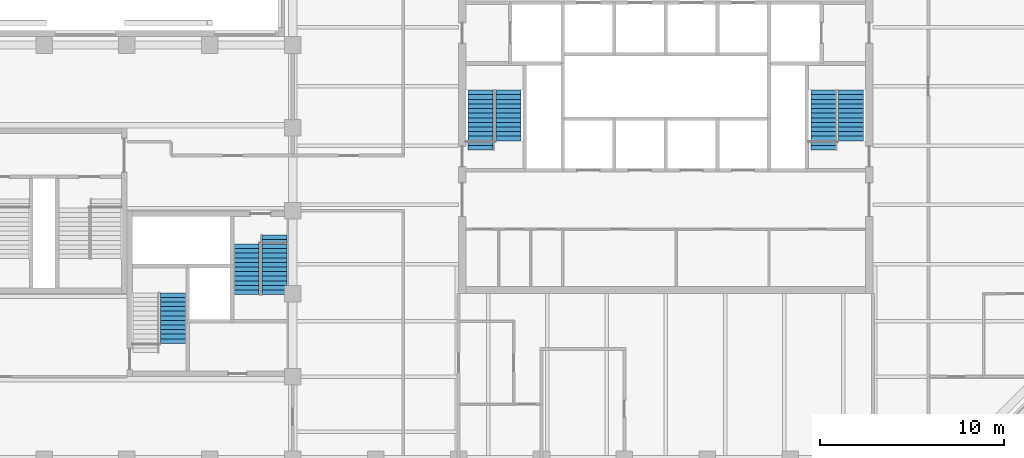
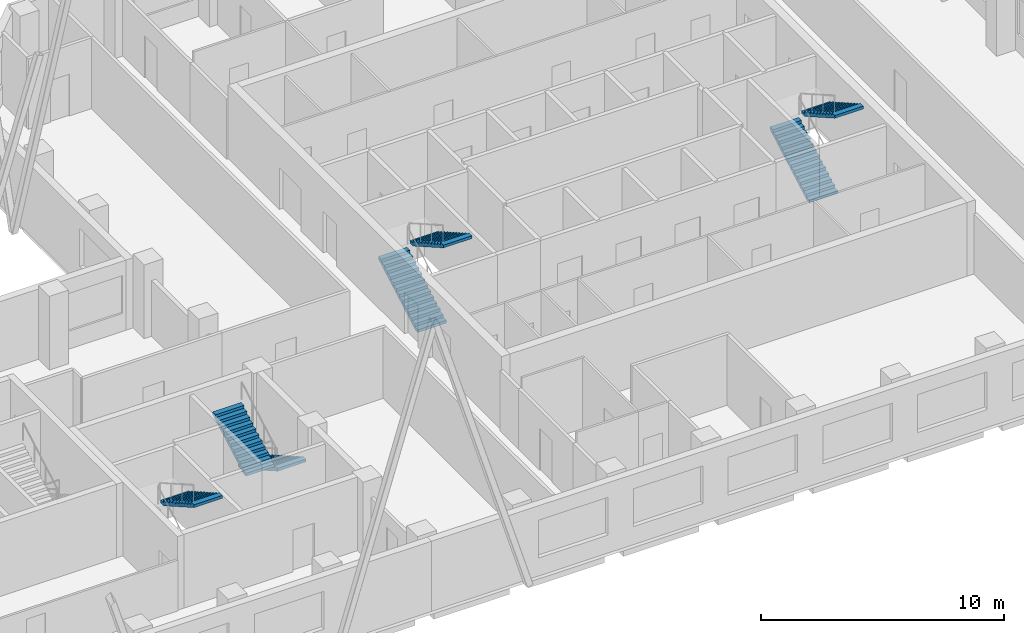
# One storey, part 8 of 9: 7 stair flights, 4 elements without a shape of their own.
"""IFC4 building model written with IfcOpenShell, lengths in metres."""

from ifc_helpers import new_model, si_unit, direction, frame, origin, place, context, subcontext, project, spatial, polyline, outline, extrude, material, type_object, element, aggregate, save


model = new_model("IFC4")

# Units and contexts
model_context = context("Model", 3, precision=1e-05, world=origin(), true_north=direction((0.0, 1.0)))
body_context = subcontext(model_context, "Body", "Model", "MODEL_VIEW")
ifc_project = project(units=[si_unit("LENGTHUNIT", "METRE"), si_unit("AREAUNIT", "SQUARE_METRE"), si_unit("VOLUMEUNIT", "CUBIC_METRE"), si_unit("PLANEANGLEUNIT", "RADIAN"), si_unit("MASSUNIT", "GRAM", prefix="KILO")], contexts=[model_context])

# Site, building, storey
site_placement = place(None, origin())
site = spatial("IfcSite", under=ifc_project, at=site_placement, CompositionType="ELEMENT")
building_placement = place(site_placement, origin())
building = spatial("IfcBuilding", under=site, at=building_placement, Name="Quoin Convention Tower", CompositionType="ELEMENT")
storey_placement = place(building_placement, frame((0.0, 0.0, 173.60009765625)))
storey = spatial("IfcBuildingStorey", under=building, at=storey_placement, Name="L45", CompositionType="ELEMENT", Elevation=173.60009765625)

# Stair, stair flights
ifc_material = material(Name="Concrete C40", Category="concrete")
stair_type = type_object("IfcStairType", Name="Exit stair two-flight 1350", PredefinedType="HALF_TURN_STAIR", material=ifc_material)
stair_1_placement = place(storey_placement, origin())
stair_1 = element("IfcStair", 1, at=stair_1_placement, inside=storey, type_object=stair_type, Name="SD1 L45", PredefinedType="HALF_TURN_STAIR")
stair_flight_type = type_object("IfcStairFlightType", Name="Stair flight 1350", PredefinedType="STRAIGHT", material=ifc_material)
stair_flight_1_placement = place(storey_placement, frame((46.199951171875, 57.300048828125, 0.0), z_axis=(0.0, 0.0, 1.0), x_axis=(0.0, 1.0, 0.0)))
stair_flight_1 = element("IfcStairFlight", 2, at=stair_flight_1_placement, type_object=stair_flight_type, Name="ST1 flight 1", NumberOfRisers=14, NumberOfTreads=13, PredefinedType="STRAIGHT", RiserHeight=0.142307692, TreadLength=0.25, context=body_context, shape_type="SweptSolid", body=[
    extrude(outline(polyline([(0.0, 0.0), (0.0, 0.142333984375), (0.25, 0.142333984375), (0.25, 0.28466796875), (0.5, 0.28466796875), (0.5, 0.427001953125), (0.75, 0.427001953125), (0.75, 0.5693359375), (1.0, 0.5693359375), (1.0, 0.71142578125), (1.25, 0.71142578125), (1.25, 0.853759765625), (1.5, 0.853759765625), (1.5, 0.99609375), (1.75, 0.99609375), (1.75, 1.138427734375), (2.0, 1.138427734375), (2.0, 1.28076171875), (2.25, 1.28076171875), (2.25, 1.423095703125), (2.5, 1.423095703125), (2.5, 1.5654296875), (2.75, 1.5654296875), (2.75, 1.707763671875), (3.0, 1.707763671875), (3.0, 1.85009765625), (3.25, 1.85009765625), (3.25, 1.9921875), (3.25, 1.711669921875), (0.242919921875, 0.0), (0.0, 0.0)])), frame((0.0, 0.675048828125, 0.0), z_axis=(0.0, -1.0, 0.0), x_axis=(1.0, 0.0, 0.0)), (0.0, 0.0, 1.0), 1.35009765625),
])
stair_flight_2_placement = place(storey_placement, frame((47.699951171875, 60.550048828125, 1.9921875), z_axis=(0.0, 0.0, 1.0), x_axis=(0.0, -1.0, 0.0)))
stair_flight_2 = element("IfcStairFlight", 3, at=stair_flight_2_placement, type_object=stair_flight_type, Name="ST1 flight 2", NumberOfRisers=12, NumberOfTreads=11, PredefinedType="STRAIGHT", RiserHeight=0.142307692, TreadLength=0.25, context=body_context, shape_type="SweptSolid", body=[
    extrude(outline(polyline([(0.0, 0.0), (0.0, 0.142333984375), (0.25, 0.142333984375), (0.25, 0.28466796875), (0.5, 0.28466796875), (0.5, 0.427001953125), (0.75, 0.427001953125), (0.75, 0.5693359375), (1.0, 0.5693359375), (1.0, 0.71142578125), (1.25, 0.71142578125), (1.25, 0.853759765625), (1.5, 0.853759765625), (1.5, 0.99609375), (1.75, 0.99609375), (1.75, 1.138427734375), (2.0, 1.138427734375), (2.0, 1.28076171875), (2.25, 1.28076171875), (2.25, 1.423095703125), (2.5, 1.423095703125), (2.5, 1.5654296875), (2.75, 1.5654296875), (2.75, 1.707763671875), (2.75, 1.42724609375), (0.242919921875, 0.0), (0.0, 0.0)])), frame((0.0, 0.675048828125, 0.0), z_axis=(0.0, -1.0, 0.0), x_axis=(1.0, 0.0, 0.0)), (0.0, 0.0, 1.0), 1.35009765625),
])
aggregate(stair_1, [stair_flight_1, stair_flight_2])

stair_2_placement = place(storey_placement, origin())
stair_2 = element("IfcStair", 4, at=stair_2_placement, inside=storey, type_object=stair_type, Name="SD2 L45", PredefinedType="HALF_TURN_STAIR")
stair_flight_3_placement = place(storey_placement, frame((64.800048828125, 57.300048828125, 0.0), z_axis=(0.0, 0.0, 1.0), x_axis=(0.0, 1.0, 0.0)))
stair_flight_3 = element("IfcStairFlight", 5, at=stair_flight_3_placement, type_object=stair_flight_type, Name="ST2 flight 1", NumberOfRisers=14, NumberOfTreads=13, PredefinedType="STRAIGHT", RiserHeight=0.142307692, TreadLength=0.25, context=body_context, shape_type="SweptSolid", body=[
    extrude(outline(polyline([(0.0, 0.0), (0.0, 0.142333984375), (0.25, 0.142333984375), (0.25, 0.28466796875), (0.5, 0.28466796875), (0.5, 0.427001953125), (0.75, 0.427001953125), (0.75, 0.5693359375), (1.0, 0.5693359375), (1.0, 0.71142578125), (1.25, 0.71142578125), (1.25, 0.853759765625), (1.5, 0.853759765625), (1.5, 0.99609375), (1.75, 0.99609375), (1.75, 1.138427734375), (2.0, 1.138427734375), (2.0, 1.28076171875), (2.25, 1.28076171875), (2.25, 1.423095703125), (2.5, 1.423095703125), (2.5, 1.5654296875), (2.75, 1.5654296875), (2.75, 1.707763671875), (3.0, 1.707763671875), (3.0, 1.85009765625), (3.25, 1.85009765625), (3.25, 1.9921875), (3.25, 1.711669921875), (0.242919921875, 0.0), (0.0, 0.0)])), frame((0.0, 0.675048828125, 0.0), z_axis=(0.0, -1.0, 0.0), x_axis=(1.0, 0.0, 0.0)), (0.0, 0.0, 1.0), 1.35009765625),
])
stair_flight_4_placement = place(storey_placement, frame((66.300048828125, 60.550048828125, 1.9921875), z_axis=(0.0, 0.0, 1.0), x_axis=(0.0, -1.0, 0.0)))
stair_flight_4 = element("IfcStairFlight", 6, at=stair_flight_4_placement, type_object=stair_flight_type, Name="ST2 flight 2", NumberOfRisers=12, NumberOfTreads=11, PredefinedType="STRAIGHT", RiserHeight=0.142307692, TreadLength=0.25, context=body_context, shape_type="SweptSolid", body=[
    extrude(outline(polyline([(0.0, 0.0), (0.0, 0.142333984375), (0.25, 0.142333984375), (0.25, 0.28466796875), (0.5, 0.28466796875), (0.5, 0.427001953125), (0.75, 0.427001953125), (0.75, 0.5693359375), (1.0, 0.5693359375), (1.0, 0.71142578125), (1.25, 0.71142578125), (1.25, 0.853759765625), (1.5, 0.853759765625), (1.5, 0.99609375), (1.75, 0.99609375), (1.75, 1.138427734375), (2.0, 1.138427734375), (2.0, 1.28076171875), (2.25, 1.28076171875), (2.25, 1.423095703125), (2.5, 1.423095703125), (2.5, 1.5654296875), (2.75, 1.5654296875), (2.75, 1.707763671875), (2.75, 1.42724609375), (0.242919921875, 0.0), (0.0, 0.0)])), frame((0.0, 0.675048828125, 0.0), z_axis=(0.0, -1.0, 0.0), x_axis=(1.0, 0.0, 0.0)), (0.0, 0.0, 1.0), 1.35009765625),
])
aggregate(stair_2, [stair_flight_3, stair_flight_4])

# Stair, stair flight
stair_3_placement = place(storey_placement, origin())
stair_3 = element("IfcStair", 7, at=stair_3_placement, inside=storey, type_object=stair_type, Name="SD3 L45", PredefinedType="HALF_TURN_STAIR")
stair_flight_5_placement = place(storey_placement, frame((29.5, 49.550048828125, 1.9921875), z_axis=(0.0, 0.0, 1.0), x_axis=(0.0, -1.0, 0.0)))
stair_flight_5 = element("IfcStairFlight", 8, at=stair_flight_5_placement, type_object=stair_flight_type, Name="ST3 flight 2", NumberOfRisers=12, NumberOfTreads=11, PredefinedType="STRAIGHT", RiserHeight=0.142307692, TreadLength=0.25, context=body_context, shape_type="SweptSolid", body=[
    extrude(outline(polyline([(0.0, 0.0), (0.0, 0.142333984375), (0.25, 0.142333984375), (0.25, 0.28466796875), (0.5, 0.28466796875), (0.5, 0.427001953125), (0.75, 0.427001953125), (0.75, 0.5693359375), (1.0, 0.5693359375), (1.0, 0.71142578125), (1.25, 0.71142578125), (1.25, 0.853759765625), (1.5, 0.853759765625), (1.5, 0.99609375), (1.75, 0.99609375), (1.75, 1.138427734375), (2.0, 1.138427734375), (2.0, 1.28076171875), (2.25, 1.28076171875), (2.25, 1.423095703125), (2.5, 1.423095703125), (2.5, 1.5654296875), (2.75, 1.5654296875), (2.75, 1.707763671875), (2.75, 1.42724609375), (0.242919921875, 0.0), (0.0, 0.0)])), frame((0.0, 0.675048828125, 0.0), z_axis=(0.0, -1.0, 0.0), x_axis=(1.0, 0.0, 0.0)), (0.0, 0.0, 1.0), 1.35009765625),
])
aggregate(stair_3, [stair_flight_5])

# Stair, stair flights
stair_4_placement = place(storey_placement, origin())
stair_4 = element("IfcStair", 9, at=stair_4_placement, inside=storey, type_object=stair_type, Name="SD4 L45", PredefinedType="HALF_TURN_STAIR")
stair_flight_6_placement = place(storey_placement, frame((35.0, 52.699951171875, 0.0), z_axis=(0.0, 0.0, 1.0), x_axis=(0.0, -1.0, 0.0)))
stair_flight_6 = element("IfcStairFlight", 10, at=stair_flight_6_placement, type_object=stair_flight_type, Name="ST4 flight 1", NumberOfRisers=14, NumberOfTreads=13, PredefinedType="STRAIGHT", RiserHeight=0.142307692, TreadLength=0.25, context=body_context, shape_type="SweptSolid", body=[
    extrude(outline(polyline([(0.0, 0.0), (0.0, 0.142333984375), (0.25, 0.142333984375), (0.25, 0.28466796875), (0.5, 0.28466796875), (0.5, 0.427001953125), (0.75, 0.427001953125), (0.75, 0.5693359375), (1.0, 0.5693359375), (1.0, 0.71142578125), (1.25, 0.71142578125), (1.25, 0.853759765625), (1.5, 0.853759765625), (1.5, 0.99609375), (1.75, 0.99609375), (1.75, 1.138427734375), (2.0, 1.138427734375), (2.0, 1.28076171875), (2.25, 1.28076171875), (2.25, 1.423095703125), (2.5, 1.423095703125), (2.5, 1.5654296875), (2.75, 1.5654296875), (2.75, 1.707763671875), (3.0, 1.707763671875), (3.0, 1.85009765625), (3.25, 1.85009765625), (3.25, 1.9921875), (3.25, 1.711669921875), (0.242919921875, 0.0), (0.0, 0.0)])), frame((0.0, 0.675048828125, 0.0), z_axis=(0.0, -1.0, 0.0), x_axis=(1.0, 0.0, 0.0)), (0.0, 0.0, 1.0), 1.35009765625),
])
stair_flight_7_placement = place(storey_placement, frame((33.5, 49.449951171875, 1.9921875), z_axis=(0.0, 0.0, 1.0), x_axis=(0.0, 1.0, 0.0)))
stair_flight_7 = element("IfcStairFlight", 11, at=stair_flight_7_placement, type_object=stair_flight_type, Name="ST4 flight 2", NumberOfRisers=12, NumberOfTreads=11, PredefinedType="STRAIGHT", RiserHeight=0.142307692, TreadLength=0.25, context=body_context, shape_type="SweptSolid", body=[
    extrude(outline(polyline([(0.0, 0.0), (0.0, 0.142333984375), (0.25, 0.142333984375), (0.25, 0.28466796875), (0.5, 0.28466796875), (0.5, 0.427001953125), (0.75, 0.427001953125), (0.75, 0.5693359375), (1.0, 0.5693359375), (1.0, 0.71142578125), (1.25, 0.71142578125), (1.25, 0.853759765625), (1.5, 0.853759765625), (1.5, 0.99609375), (1.75, 0.99609375), (1.75, 1.138427734375), (2.0, 1.138427734375), (2.0, 1.28076171875), (2.25, 1.28076171875), (2.25, 1.423095703125), (2.5, 1.423095703125), (2.5, 1.5654296875), (2.75, 1.5654296875), (2.75, 1.707763671875), (2.75, 1.42724609375), (0.242919921875, 0.0), (0.0, 0.0)])), frame((0.0, 0.675048828125, 0.0), z_axis=(0.0, -1.0, 0.0), x_axis=(1.0, 0.0, 0.0)), (0.0, 0.0, 1.0), 1.35009765625),
])
aggregate(stair_4, [stair_flight_6, stair_flight_7])

save(model, "model.ifc")
